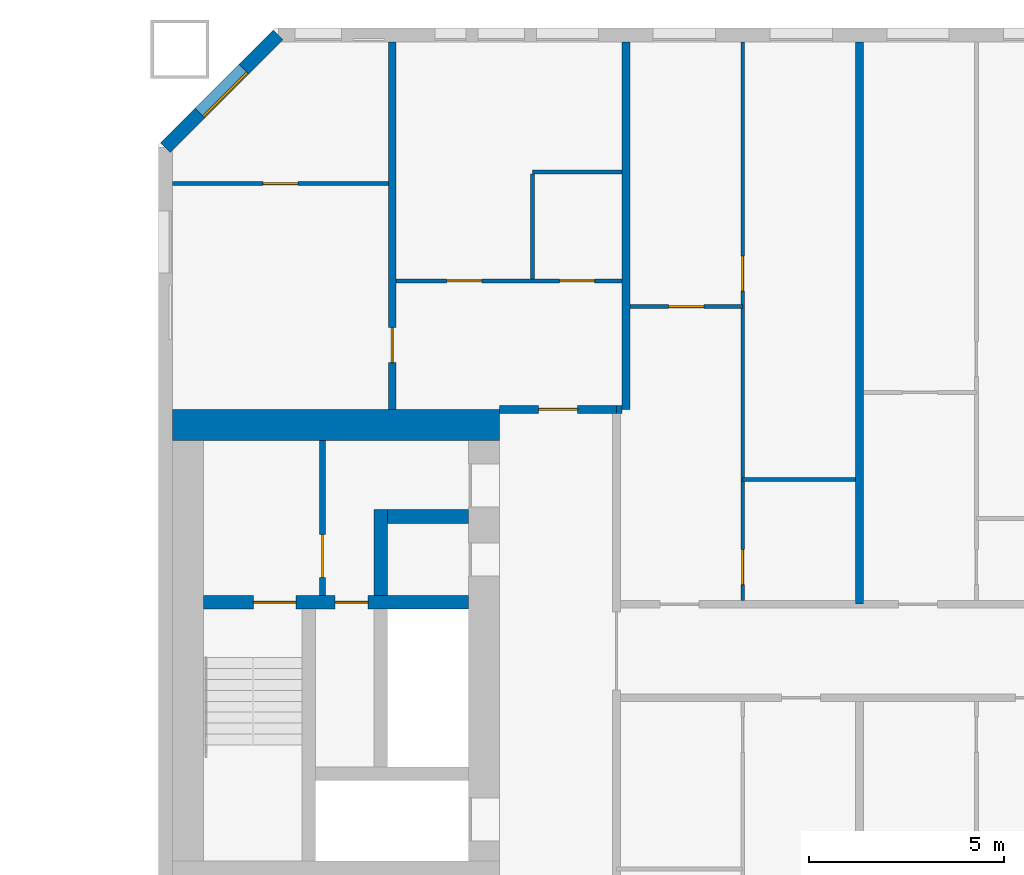
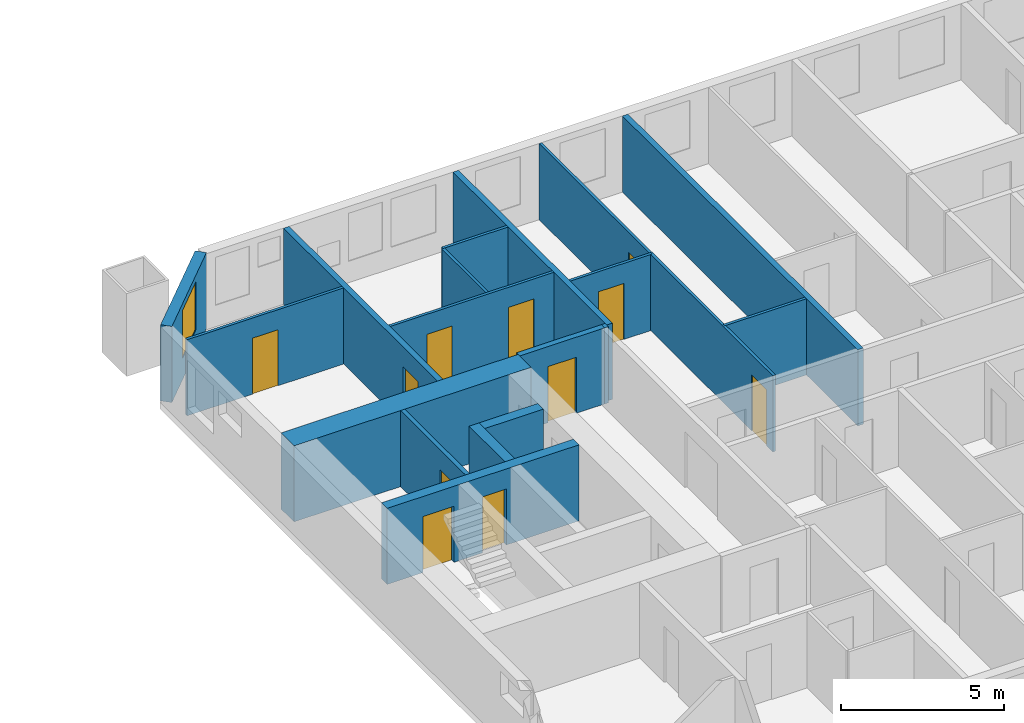
# One storey, part 10 of 17: 18 walls, 11 doors, 1 window, 12 openings.
"""IFC4 building model written with IfcOpenShell, lengths in metres."""

from ifc_helpers import new_model, si_unit, direction, frame, frame_2d, origin, place, context, subcontext, project, spatial, rectangle, extrude, material, layer, layer_set, type_object, element, fill, save


model = new_model("IFC4")

# Units and contexts
model_context = context("Model", 3, precision=1e-05, world=origin(), true_north=direction((0.0, 1.0)))
body_context = subcontext(model_context, "Body", "Model", "MODEL_VIEW")
ifc_project = project(units=[si_unit("LENGTHUNIT", "METRE"), si_unit("AREAUNIT", "SQUARE_METRE"), si_unit("VOLUMEUNIT", "CUBIC_METRE"), si_unit("PLANEANGLEUNIT", "RADIAN"), si_unit("MASSUNIT", "GRAM", prefix="KILO")], contexts=[model_context])

# Site, building, storey
site_placement = place(None, origin())
site = spatial("IfcSite", under=ifc_project, at=site_placement, CompositionType="ELEMENT")
building_placement = place(site_placement, origin())
building = spatial("IfcBuilding", under=site, at=building_placement, Name="Tuart Gate Housing", CompositionType="ELEMENT")
storey_placement = place(building_placement, frame((0.0, 0.0, 47.39990234375)))
storey = spatial("IfcBuildingStorey", under=building, at=storey_placement, Name="L12", CompositionType="ELEMENT", Elevation=47.39990234375)

# Wall, opening, window
ifc_material_1 = material(Name="Brick", Category="masonry")
ifc_layer_1 = layer(ifc_material_1, 0.360107421875)
ifc_layer_set_1 = layer_set([ifc_layer_1], Name="Brick pier and spandrel wall 360")
wall_type_1 = type_object("IfcWallType", Name="Brick pier and spandrel wall 360", PredefinedType="STANDARD", material=ifc_layer_set_1)
wall_1_placement = place(storey_placement, frame((134.07470703125, 85.820068359375, 0.0), z_axis=(0.0, 0.0, 1.0), x_axis=(-0.707106781187, -0.707106781187, 0.0)))
wall_1 = element("IfcWall", 1, at=wall_1_placement, inside=storey, type_object=wall_type_1, Name="External wall B-NW L12", PredefinedType="STANDARD", context=body_context, shape_type="SweptSolid", body=[
    extrude(rectangle(XDim=4.09375, YDim=0.360107421875, at=frame_2d((2.046875, 0.0))), origin(), (0.0, 0.0, 1.0), 2.85009765625),
])
opening_1_placement = place(wall_1_placement, frame((1.2470703125, 0.0, 0.800048828125)))
opening_1 = element("IfcOpeningElement", 2, at=opening_1_placement, cuts=wall_1, Name="Opening W1", PredefinedType="OPENING", context=body_context, shape_type="SweptSolid", body=[
    extrude(rectangle(XDim=1.60009765625, YDim=1.800048828125, at=frame_2d((0.800048828125, 0.89990234375))), frame((0.0, 0.18994140625, 0.0), z_axis=(0.0, -1.0, 0.0), x_axis=(1.0, 0.0, 0.0)), (0.0, 0.0, 1.0), 0.380126953125),
])
ifc_material_2 = material(Name="Aluminium frame with clear glass", Category="aluminium")
window_type = type_object("IfcWindowType", Name="Punched window 1600 x 1800", PartitioningType="SINGLE_PANEL", PredefinedType="WINDOW", material=ifc_material_2)
window_placement = place(opening_1_placement, origin())
window = element("IfcWindow", 3, at=window_placement, inside=storey, type_object=window_type, Name="Window W1", OverallHeight=1.800048828125, OverallWidth=1.60009765625, PartitioningType="SINGLE_PANEL", PredefinedType="WINDOW", context=body_context, shape_type="SweptSolid", body=[
    extrude(rectangle(XDim=1.60009765625, YDim=1.800048828125, at=frame_2d((0.800048828125, 0.89990234375))), frame((0.0, 0.150146484375, 0.0), z_axis=(0.0, -1.0, 0.0), x_axis=(1.0, 0.0, 0.0)), (0.0, 0.0, 1.0), 0.06005859375),
])
fill(opening_1, window)

# Wall, opening, door
ifc_material_3 = material(Name="Plasterboard partition")
ifc_layer_2 = layer(ifc_material_3, 0.14990234375)
ifc_layer_set_2 = layer_set([ifc_layer_2], Name="Core partition 150")
wall_type_2 = type_object("IfcWallType", Name="Core partition 150", PredefinedType="PARTITIONING", material=ifc_layer_set_2)
wall_2_placement = place(storey_placement, frame((135.2099609375, 71.425048828125, 0.0), z_axis=(0.0, 0.0, 1.0), x_axis=(0.0, 1.0, 0.0)))
wall_2 = element("IfcWall", 4, at=wall_2_placement, inside=storey, type_object=wall_type_2, Name="Core partition BG.6", PredefinedType="PARTITIONING", context=body_context, shape_type="SweptSolid", body=[
    extrude(rectangle(XDim=3.974853515625, YDim=0.14990234375, at=frame_2d((1.9873046875, 0.0))), origin(), (0.0, 0.0, 1.0), 2.85009765625),
])
opening_2_placement = place(wall_2_placement, frame((0.46240234375, 0.0, 0.0)))
opening_2 = element("IfcOpeningElement", 5, at=opening_2_placement, cuts=wall_2, Name="Opening D676", PredefinedType="OPENING", context=body_context, shape_type="SweptSolid", body=[
    extrude(rectangle(XDim=1.10009765625, YDim=2.10009765625, at=frame_2d((0.550048828125, 1.050048828125))), frame((0.0, 0.0849609375, 0.0), z_axis=(0.0, -1.0, 0.0), x_axis=(1.0, 0.0, 0.0)), (0.0, 0.0, 1.0), 0.169921875),
])
ifc_material_4 = material(Name="Steel fire door", Category="steel")
door_type_1 = type_object("IfcDoorType", Name="Lobby door 1100 x 2100", OperationType="SINGLE_SWING_LEFT", PredefinedType="DOOR", material=ifc_material_4)
door_1_placement = place(opening_2_placement, origin())
door_1 = element("IfcDoor", 6, at=door_1_placement, inside=storey, type_object=door_type_1, Name="Smoke lobby door BG.KD", OperationType="SINGLE_SWING_LEFT", OverallHeight=2.10009765625, OverallWidth=1.10009765625, PredefinedType="DOOR", context=body_context, shape_type="SweptSolid", body=[
    extrude(rectangle(XDim=1.10009765625, YDim=2.10009765625, at=frame_2d((0.550048828125, 1.050048828125))), frame((0.0, 0.02490234375, 0.0), z_axis=(0.0, -1.0, 0.0), x_axis=(1.0, 0.0, 0.0)), (0.0, 0.0, 1.0), 0.050048828125),
])
fill(opening_2, door_1)

# Wall, openings, doors
ifc_material_5 = material(Name="Concrete C60", Category="concrete")
ifc_layer_3 = layer(ifc_material_5, 0.35009765625)
ifc_layer_set_3 = layer_set([ifc_layer_3], Name="Core wall 350 C60")
wall_type_3 = type_object("IfcWallType", Name="Core wall 350 C60", PredefinedType="SHEAR", material=ifc_layer_set_3)
wall_3_placement = place(storey_placement, frame((138.9599609375, 71.25, 0.0), z_axis=(0.0, 0.0, 1.0), x_axis=(-1.0, 0.0, 0.0)))
wall_3 = element("IfcWall", 7, at=wall_3_placement, inside=storey, type_object=wall_type_3, Name="Core wall BG.2", PredefinedType="SHEAR", context=body_context, shape_type="SweptSolid", body=[
    extrude(rectangle(XDim=6.800048828125, YDim=0.35009765625, at=frame_2d((3.39990234375, 0.0))), origin(), (0.0, 0.0, 1.0), 2.85009765625),
])
opening_3_placement = place(wall_3_placement, frame((4.425048828125, 0.0, 0.0)))
opening_3 = element("IfcOpeningElement", 8, at=opening_3_placement, cuts=wall_3, Name="Opening D678", PredefinedType="OPENING", context=body_context, shape_type="SweptSolid", body=[
    extrude(rectangle(XDim=1.10009765625, YDim=2.10009765625, at=frame_2d((0.550048828125, 1.050048828125))), frame((0.0, 0.18505859375, 0.0), z_axis=(0.0, -1.0, 0.0), x_axis=(1.0, 0.0, 0.0)), (0.0, 0.0, 1.0), 0.3701171875),
])
opening_4_placement = place(wall_3_placement, frame((2.574951171875, 0.0, 0.0)))
opening_4 = element("IfcOpeningElement", 9, at=opening_4_placement, cuts=wall_3, Name="Opening D677", PredefinedType="OPENING", context=body_context, shape_type="SweptSolid", body=[
    extrude(rectangle(XDim=0.85009765625, YDim=2.10009765625, at=frame_2d((0.425048828125, 1.050048828125))), frame((0.0, 0.18505859375, 0.0), z_axis=(0.0, -1.0, 0.0), x_axis=(1.0, 0.0, 0.0)), (0.0, 0.0, 1.0), 0.3701171875),
])
ifc_material_6 = material(Name="Steel fire door", Category="steel")
door_type_2 = type_object("IfcDoorType", Name="Riser door 850 x 2100", OperationType="SINGLE_SWING_LEFT", PredefinedType="DOOR", material=ifc_material_6)
door_2_placement = place(opening_4_placement, origin())
door_2 = element("IfcDoor", 10, at=door_2_placement, inside=storey, type_object=door_type_2, Name="Service room door BG.W1", OperationType="SINGLE_SWING_LEFT", OverallHeight=2.10009765625, OverallWidth=0.85009765625, PredefinedType="DOOR", context=body_context, shape_type="SweptSolid", body=[
    extrude(rectangle(XDim=0.85009765625, YDim=2.10009765625, at=frame_2d((0.425048828125, 1.050048828125))), frame((0.0, 0.02490234375, 0.0), z_axis=(0.0, -1.0, 0.0), x_axis=(1.0, 0.0, 0.0)), (0.0, 0.0, 1.0), 0.050048828125),
])
fill(opening_4, door_2)
ifc_material_7 = material(Name="Steel fire door", Category="steel")
door_type_3 = type_object("IfcDoorType", Name="Stair door 1100 x 2100", OperationType="SINGLE_SWING_LEFT", PredefinedType="DOOR", material=ifc_material_7)
door_3_placement = place(opening_3_placement, origin())
door_3 = element("IfcDoor", 11, at=door_3_placement, inside=storey, type_object=door_type_3, Name="Stair door BG.SD", OperationType="SINGLE_SWING_LEFT", OverallHeight=2.10009765625, OverallWidth=1.10009765625, PredefinedType="DOOR", context=body_context, shape_type="SweptSolid", body=[
    extrude(rectangle(XDim=1.10009765625, YDim=2.10009765625, at=frame_2d((0.550048828125, 1.050048828125))), frame((0.0, 0.02490234375, 0.0), z_axis=(0.0, -1.0, 0.0), x_axis=(1.0, 0.0, 0.0)), (0.0, 0.0, 1.0), 0.050048828125),
])
fill(opening_3, door_3)

# Walls
wall_4_placement = place(storey_placement, frame((138.9599609375, 73.449951171875, 0.0), z_axis=(0.0, 0.0, 1.0), x_axis=(-1.0, 0.0, 0.0)))
element("IfcWall", 12, at=wall_4_placement, inside=storey, type_object=wall_type_3, Name="Core wall BG.3", PredefinedType="SHEAR", context=body_context, shape_type="SweptSolid", body=[
    extrude(rectangle(XDim=2.074951171875, YDim=0.35009765625, at=frame_2d((1.03759765625, 0.0))), origin(), (0.0, 0.0, 1.0), 2.85009765625),
])
wall_5_placement = place(storey_placement, frame((136.7099609375, 71.425048828125, 0.0), z_axis=(0.0, 0.0, 1.0), x_axis=(0.0, 1.0, 0.0)))
element("IfcWall", 13, at=wall_5_placement, inside=storey, type_object=wall_type_3, Name="Core wall BG.5", PredefinedType="SHEAR", context=body_context, shape_type="SweptSolid", body=[
    extrude(rectangle(XDim=2.199951171875, YDim=0.35009765625, at=frame_2d((1.10009765625, 0.0))), origin(), (0.0, 0.0, 1.0), 2.85009765625),
])
ifc_material_8 = material(Name="Concrete C60", Category="concrete")
ifc_layer_4 = layer(ifc_material_8, 0.800048828125)
ifc_layer_set_4 = layer_set([ifc_layer_4], Name="Core wall 800 C60")
wall_type_4 = type_object("IfcWallType", Name="Core wall 800 C60", PredefinedType="SHEAR", material=ifc_layer_set_4)
wall_6_placement = place(storey_placement, frame((139.760009765625, 75.800048828125, 0.0), z_axis=(0.0, 0.0, 1.0), x_axis=(-1.0, 0.0, 0.0)))
element("IfcWall", 14, at=wall_6_placement, inside=storey, type_object=wall_type_4, Name="Core wall BG north", PredefinedType="SHEAR", context=body_context, shape_type="SweptSolid", body=[
    extrude(rectangle(XDim=8.39990234375, YDim=0.800048828125, at=frame_2d((4.199951171875, 0.0))), origin(), (0.0, 0.0, 1.0), 2.85009765625),
])

# Wall, opening, door
ifc_material_9 = material(Name="Concrete masonry 15 MPa", Category="masonry")
ifc_layer_5 = layer(ifc_material_9, 0.199951171875)
ifc_layer_set_5 = layer_set([ifc_layer_5], Name="Enclosure wall masonry 200")
wall_type_5 = type_object("IfcWallType", Name="Enclosure wall masonry 200", PredefinedType="PARTITIONING", material=ifc_layer_set_5)
wall_7_placement = place(storey_placement, frame((139.760009765625, 76.199951171875, 0.0), z_axis=(0.0, 0.0, 1.0), x_axis=(1.0, 0.0, 0.0)))
wall_7 = element("IfcWall", 15, at=wall_7_placement, inside=storey, type_object=wall_type_5, Name="Enclosure wall masonry 200", PredefinedType="PARTITIONING", context=body_context, shape_type="SweptSolid", body=[
    extrude(rectangle(XDim=3.0, YDim=0.199951171875, at=frame_2d((1.5, 0.0))), origin(), (0.0, 0.0, 1.0), 2.85009765625),
])
opening_5_placement = place(wall_7_placement, frame((1.0, 0.0, 0.0)))
opening_5 = element("IfcOpeningElement", 16, at=opening_5_placement, cuts=wall_7, Name="Opening D674", PredefinedType="OPENING", context=body_context, shape_type="SweptSolid", body=[
    extrude(rectangle(XDim=1.0, YDim=2.10009765625, at=frame_2d((0.5, 1.050048828125))), frame((0.0, 0.10986328125, 0.0), z_axis=(0.0, -1.0, 0.0), x_axis=(1.0, 0.0, 0.0)), (0.0, 0.0, 1.0), 0.219970703125),
])
ifc_material_10 = material(Name="Timber door leaf in steel frame", Category="steel")
door_type_4 = type_object("IfcDoorType", Name="Flat entrance door 1000 RH", OperationType="SINGLE_SWING_RIGHT", PredefinedType="DOOR", material=ifc_material_10)
door_4_placement = place(opening_5_placement, origin())
door_4 = element("IfcDoor", 17, at=door_4_placement, inside=storey, type_object=door_type_4, Name="Flat entrance door", OperationType="SINGLE_SWING_RIGHT", OverallHeight=2.10009765625, OverallWidth=1.0, PredefinedType="DOOR", context=body_context, shape_type="SweptSolid", body=[
    extrude(rectangle(XDim=1.0, YDim=2.10009765625, at=frame_2d((0.5, 1.050048828125))), frame((0.0, 0.02490234375, 0.0), z_axis=(0.0, -1.0, 0.0), x_axis=(1.0, 0.0, 0.0)), (0.0, 0.0, 1.0), 0.050048828125),
])
fill(opening_5, door_4)

# Wall
ifc_material_11 = material(Name="Gypsum board on steel studs", Category="steel")
ifc_layer_6 = layer(ifc_material_11, 0.10009765625)
ifc_layer_set_6 = layer_set([ifc_layer_6], Name="Partition 100")
wall_type_6 = type_object("IfcWallType", Name="Partition 100", PredefinedType="PARTITIONING", material=ifc_layer_set_6)
wall_8_placement = place(storey_placement, frame((146.0, 74.39990234375, 0.0), z_axis=(0.0, 0.0, 1.0), x_axis=(1.0, 0.0, 0.0)))
element("IfcWall", 18, at=wall_8_placement, inside=storey, type_object=wall_type_6, Name="Partition 100", PredefinedType="PARTITIONING", context=body_context, shape_type="SweptSolid", body=[
    extrude(rectangle(XDim=2.89990234375, YDim=0.10009765625, at=frame_2d((1.449951171875, 0.0))), origin(), (0.0, 0.0, 1.0), 2.85009765625),
])

# Wall, opening, door
wall_9_placement = place(storey_placement, frame((143.10009765625, 78.840087890625, 0.0), z_axis=(0.0, 0.0, 1.0), x_axis=(1.0, 0.0, 0.0)))
wall_9 = element("IfcWall", 19, at=wall_9_placement, inside=storey, type_object=wall_type_6, Name="Partition 100", PredefinedType="PARTITIONING", context=body_context, shape_type="SweptSolid", body=[
    extrude(rectangle(XDim=2.89990234375, YDim=0.10009765625, at=frame_2d((1.449951171875, 0.0))), origin(), (0.0, 0.0, 1.0), 2.85009765625),
])
opening_6_placement = place(wall_9_placement, frame((1.0, 0.0, 0.0)))
opening_6 = element("IfcOpeningElement", 20, at=opening_6_placement, cuts=wall_9, Name="Opening D666", PredefinedType="OPENING", context=body_context, shape_type="SweptSolid", body=[
    extrude(rectangle(XDim=0.89990234375, YDim=2.10009765625, at=frame_2d((0.449951171875, 1.050048828125))), frame((0.0, 0.06005859375, 0.0), z_axis=(0.0, -1.0, 0.0), x_axis=(1.0, 0.0, 0.0)), (0.0, 0.0, 1.0), 0.1201171875),
])
ifc_material_12 = material(Name="Timber door leaf in steel frame", Category="steel")
door_type_5 = type_object("IfcDoorType", Name="Internal door 900", OperationType="SINGLE_SWING_LEFT", PredefinedType="DOOR", material=ifc_material_12)
door_5_placement = place(opening_6_placement, frame((0.89990234375, 0.0, 0.0), z_axis=(0.0, 0.0, 1.0), x_axis=(-1.0, 0.0, 0.0)))
door_5 = element("IfcDoor", 21, at=door_5_placement, inside=storey, type_object=door_type_5, Name="Internal door", OperationType="SINGLE_SWING_LEFT", OverallHeight=2.10009765625, OverallWidth=0.89990234375, PredefinedType="DOOR", context=body_context, shape_type="SweptSolid", body=[
    extrude(rectangle(XDim=0.89990234375, YDim=2.10009765625, at=frame_2d((0.449951171875, 1.050048828125))), frame((0.0, 0.025146484375, 0.0), z_axis=(0.0, -1.0, 0.0), x_axis=(1.0, 0.0, 0.0)), (0.0, 0.0, 1.0), 0.050048828125),
])
fill(opening_6, door_5)

# Wall, openings, doors
wall_10_placement = place(storey_placement, frame((137.10009765625, 79.5, 0.0), z_axis=(0.0, 0.0, 1.0), x_axis=(1.0, 0.0, 0.0)))
wall_10 = element("IfcWall", 22, at=wall_10_placement, inside=storey, type_object=wall_type_6, Name="Partition 100", PredefinedType="PARTITIONING", context=body_context, shape_type="SweptSolid", body=[
    extrude(rectangle(XDim=5.7998046875, YDim=0.10009765625, at=frame_2d((2.89990234375, 0.0))), origin(), (0.0, 0.0, 1.0), 2.85009765625),
])
opening_7_placement = place(wall_10_placement, frame((1.300048828125, 0.0, 0.0)))
opening_7 = element("IfcOpeningElement", 23, at=opening_7_placement, cuts=wall_10, Name="Opening D665", PredefinedType="OPENING", context=body_context, shape_type="SweptSolid", body=[
    extrude(rectangle(XDim=0.89990234375, YDim=2.10009765625, at=frame_2d((0.449951171875, 1.050048828125))), frame((0.0, 0.06005859375, 0.0), z_axis=(0.0, -1.0, 0.0), x_axis=(1.0, 0.0, 0.0)), (0.0, 0.0, 1.0), 0.1201171875),
])
opening_8_placement = place(wall_10_placement, frame((4.199951171875, 0.0, 0.0)))
opening_8 = element("IfcOpeningElement", 24, at=opening_8_placement, cuts=wall_10, Name="Opening D664", PredefinedType="OPENING", context=body_context, shape_type="SweptSolid", body=[
    extrude(rectangle(XDim=0.89990234375, YDim=2.10009765625, at=frame_2d((0.449951171875, 1.050048828125))), frame((0.0, 0.06005859375, 0.0), z_axis=(0.0, -1.0, 0.0), x_axis=(1.0, 0.0, 0.0)), (0.0, 0.0, 1.0), 0.1201171875),
])
ifc_material_13 = material(Name="Timber door leaf in steel frame", Category="steel")
door_type_6 = type_object("IfcDoorType", Name="Bathroom door 900", OperationType="SINGLE_SWING_LEFT", PredefinedType="DOOR", material=ifc_material_13)
door_6_placement = place(opening_8_placement, origin())
door_6 = element("IfcDoor", 25, at=door_6_placement, inside=storey, type_object=door_type_6, Name="Bathroom door", OperationType="SINGLE_SWING_LEFT", OverallHeight=2.10009765625, OverallWidth=0.89990234375, PredefinedType="DOOR", context=body_context, shape_type="SweptSolid", body=[
    extrude(rectangle(XDim=0.89990234375, YDim=2.10009765625, at=frame_2d((0.449951171875, 1.050048828125))), frame((0.0, 0.02490234375, 0.0), z_axis=(0.0, -1.0, 0.0), x_axis=(1.0, 0.0, 0.0)), (0.0, 0.0, 1.0), 0.050048828125),
])
fill(opening_8, door_6)
ifc_material_14 = material(Name="Timber door leaf in steel frame", Category="steel")
door_type_7 = type_object("IfcDoorType", Name="Internal door 900 RH", OperationType="SINGLE_SWING_RIGHT", PredefinedType="DOOR", material=ifc_material_14)
door_7_placement = place(opening_7_placement, origin())
door_7 = element("IfcDoor", 26, at=door_7_placement, inside=storey, type_object=door_type_7, Name="Internal door", OperationType="SINGLE_SWING_RIGHT", OverallHeight=2.10009765625, OverallWidth=0.89990234375, PredefinedType="DOOR", context=body_context, shape_type="SweptSolid", body=[
    extrude(rectangle(XDim=0.89990234375, YDim=2.10009765625, at=frame_2d((0.449951171875, 1.050048828125))), frame((0.0, 0.02490234375, 0.0), z_axis=(0.0, -1.0, 0.0), x_axis=(1.0, 0.0, 0.0)), (0.0, 0.0, 1.0), 0.050048828125),
])
fill(opening_7, door_7)

# Wall, opening, door
wall_11_placement = place(storey_placement, frame((131.360107421875, 82.0, 0.0), z_axis=(0.0, 0.0, 1.0), x_axis=(1.0, 0.0, 0.0)))
wall_11 = element("IfcWall", 27, at=wall_11_placement, inside=storey, type_object=wall_type_6, Name="Partition 100", PredefinedType="PARTITIONING", context=body_context, shape_type="SweptSolid", body=[
    extrude(rectangle(XDim=5.539794921875, YDim=0.10009765625, at=frame_2d((2.77001953125, 0.0))), origin(), (0.0, 0.0, 1.0), 2.85009765625),
])
opening_9_placement = place(wall_11_placement, frame((2.320068359375, 0.0, 0.0)))
opening_9 = element("IfcOpeningElement", 28, at=opening_9_placement, cuts=wall_11, Name="Opening D662", PredefinedType="OPENING", context=body_context, shape_type="SweptSolid", body=[
    extrude(rectangle(XDim=0.89990234375, YDim=2.10009765625, at=frame_2d((0.449951171875, 1.050048828125))), frame((0.0, 0.06005859375, 0.0), z_axis=(0.0, -1.0, 0.0), x_axis=(1.0, 0.0, 0.0)), (0.0, 0.0, 1.0), 0.1201171875),
])
door_8_placement = place(opening_9_placement, origin())
door_8 = element("IfcDoor", 29, at=door_8_placement, inside=storey, type_object=door_type_5, Name="Internal door", OperationType="SINGLE_SWING_LEFT", OverallHeight=2.10009765625, OverallWidth=0.89990234375, PredefinedType="DOOR", context=body_context, shape_type="SweptSolid", body=[
    extrude(rectangle(XDim=0.89990234375, YDim=2.10009765625, at=frame_2d((0.449951171875, 1.050048828125))), frame((0.0, 0.02490234375, 0.0), z_axis=(0.0, -1.0, 0.0), x_axis=(1.0, 0.0, 0.0)), (0.0, 0.0, 1.0), 0.050048828125),
])
fill(opening_9, door_8)

# Walls
wall_12_placement = place(storey_placement, frame((140.60009765625, 82.300048828125, 0.0), z_axis=(0.0, 0.0, 1.0), x_axis=(1.0, 0.0, 0.0)))
element("IfcWall", 30, at=wall_12_placement, inside=storey, type_object=wall_type_6, Name="Partition 100", PredefinedType="PARTITIONING", context=body_context, shape_type="SweptSolid", body=[
    extrude(rectangle(XDim=2.2998046875, YDim=0.10009765625, at=frame_2d((1.14990234375, 0.0))), origin(), (0.0, 0.0, 1.0), 2.85009765625),
])
wall_13_placement = place(storey_placement, frame((140.60009765625, 79.550048828125, 0.0), z_axis=(0.0, 0.0, 1.0), x_axis=(0.0, 1.0, 0.0)))
element("IfcWall", 31, at=wall_13_placement, inside=storey, type_object=wall_type_6, Name="Partition 100", PredefinedType="PARTITIONING", context=body_context, shape_type="SweptSolid", body=[
    extrude(rectangle(XDim=2.699951171875, YDim=0.10009765625, at=frame_2d((1.35009765625, 0.0))), origin(), (0.0, 0.0, 1.0), 2.85009765625),
])

# Wall, openings, doors
wall_14_placement = place(storey_placement, frame((146.0, 71.300048828125, 0.0), z_axis=(0.0, 0.0, 1.0), x_axis=(0.0, 1.0, 0.0)))
wall_14 = element("IfcWall", 32, at=wall_14_placement, inside=storey, type_object=wall_type_6, Name="Partition 100", PredefinedType="PARTITIONING", context=body_context, shape_type="SweptSolid", body=[
    extrude(rectangle(XDim=14.33984375, YDim=0.10009765625, at=frame_2d((7.169921875, 0.0))), origin(), (0.0, 0.0, 1.0), 2.85009765625),
])
opening_10_placement = place(wall_14_placement, frame((7.93994140625, 0.0, 0.0)))
opening_10 = element("IfcOpeningElement", 33, at=opening_10_placement, cuts=wall_14, Name="Opening D670", PredefinedType="OPENING", context=body_context, shape_type="SweptSolid", body=[
    extrude(rectangle(XDim=0.89990234375, YDim=2.10009765625, at=frame_2d((0.449951171875, 1.050048828125))), frame((0.0, 0.06005859375, 0.0), z_axis=(0.0, -1.0, 0.0), x_axis=(1.0, 0.0, 0.0)), (0.0, 0.0, 1.0), 0.1201171875),
])
opening_11_placement = place(wall_14_placement, frame((0.39990234375, 0.0, 0.0)))
opening_11 = element("IfcOpeningElement", 34, at=opening_11_placement, cuts=wall_14, Name="Opening D669", PredefinedType="OPENING", context=body_context, shape_type="SweptSolid", body=[
    extrude(rectangle(XDim=0.89990234375, YDim=2.10009765625, at=frame_2d((0.449951171875, 1.050048828125))), frame((0.0, 0.06005859375, 0.0), z_axis=(0.0, -1.0, 0.0), x_axis=(1.0, 0.0, 0.0)), (0.0, 0.0, 1.0), 0.1201171875),
])
ifc_material_15 = material(Name="Timber door leaf in steel frame", Category="steel")
door_type_8 = type_object("IfcDoorType", Name="Bathroom door 900 RH", OperationType="SINGLE_SWING_RIGHT", PredefinedType="DOOR", material=ifc_material_15)
door_9_placement = place(opening_11_placement, frame((0.89990234375, 0.0, 0.0), z_axis=(0.0, 0.0, 1.0), x_axis=(-1.0, 0.0, 0.0)))
door_9 = element("IfcDoor", 35, at=door_9_placement, inside=storey, type_object=door_type_8, Name="Bathroom door", OperationType="SINGLE_SWING_RIGHT", OverallHeight=2.10009765625, OverallWidth=0.89990234375, PredefinedType="DOOR", context=body_context, shape_type="SweptSolid", body=[
    extrude(rectangle(XDim=0.89990234375, YDim=2.10009765625, at=frame_2d((0.449951171875, 1.050048828125))), frame((0.0, 0.025146484375, 0.0), z_axis=(0.0, -1.0, 0.0), x_axis=(1.0, 0.0, 0.0)), (0.0, 0.0, 1.0), 0.050048828125),
])
fill(opening_11, door_9)
door_10_placement = place(opening_10_placement, frame((0.89990234375, 0.0, 0.0), z_axis=(0.0, 0.0, 1.0), x_axis=(-1.0, 0.0, 0.0)))
door_10 = element("IfcDoor", 36, at=door_10_placement, inside=storey, type_object=door_type_7, Name="Internal door", OperationType="SINGLE_SWING_RIGHT", OverallHeight=2.10009765625, OverallWidth=0.89990234375, PredefinedType="DOOR", context=body_context, shape_type="SweptSolid", body=[
    extrude(rectangle(XDim=0.89990234375, YDim=2.10009765625, at=frame_2d((0.449951171875, 1.050048828125))), frame((0.0, 0.025146484375, 0.0), z_axis=(0.0, -1.0, 0.0), x_axis=(1.0, 0.0, 0.0)), (0.0, 0.0, 1.0), 0.050048828125),
])
fill(opening_10, door_10)

# Wall, opening, door
ifc_material_16 = material(Name="Concrete C40", Category="concrete")
ifc_layer_7 = layer(ifc_material_16, 0.199951171875)
ifc_layer_set_7 = layer_set([ifc_layer_7], Name="Party wall concrete C40 200")
wall_type_7 = type_object("IfcWallType", Name="Party wall concrete C40 200", PredefinedType="SOLIDWALL", material=ifc_layer_set_7)
wall_15_placement = place(storey_placement, frame((137.0, 76.199951171875, 0.0), z_axis=(0.0, 0.0, 1.0), x_axis=(0.0, 1.0, 0.0)))
wall_15 = element("IfcWall", 37, at=wall_15_placement, inside=storey, type_object=wall_type_7, Name="Party wall concrete C40 200", PredefinedType="SOLIDWALL", context=body_context, shape_type="SweptSolid", body=[
    extrude(rectangle(XDim=9.43994140625, YDim=0.199951171875, at=frame_2d((4.719970703125, 0.0))), origin(), (0.0, 0.0, 1.0), 2.85009765625),
])
opening_12_placement = place(wall_15_placement, frame((1.199951171875, 0.0, 0.0)))
opening_12 = element("IfcOpeningElement", 38, at=opening_12_placement, cuts=wall_15, Name="Opening D663", PredefinedType="OPENING", context=body_context, shape_type="SweptSolid", body=[
    extrude(rectangle(XDim=0.89990234375, YDim=2.10009765625, at=frame_2d((0.449951171875, 1.050048828125))), frame((0.0, 0.10986328125, 0.0), z_axis=(0.0, -1.0, 0.0), x_axis=(1.0, 0.0, 0.0)), (0.0, 0.0, 1.0), 0.219970703125),
])
door_11_placement = place(opening_12_placement, frame((0.89990234375, 0.0, 0.0), z_axis=(0.0, 0.0, 1.0), x_axis=(-1.0, 0.0, 0.0)))
door_11 = element("IfcDoor", 39, at=door_11_placement, inside=storey, type_object=door_type_7, Name="Internal door", OperationType="SINGLE_SWING_RIGHT", OverallHeight=2.10009765625, OverallWidth=0.89990234375, PredefinedType="DOOR", context=body_context, shape_type="SweptSolid", body=[
    extrude(rectangle(XDim=0.89990234375, YDim=2.10009765625, at=frame_2d((0.449951171875, 1.050048828125))), frame((0.0, 0.025146484375, 0.0), z_axis=(0.0, -1.0, 0.0), x_axis=(1.0, 0.0, 0.0)), (0.0, 0.0, 1.0), 0.050048828125),
])
fill(opening_12, door_11)

# Walls
wall_16_placement = place(storey_placement, frame((143.0, 76.199951171875, 0.0), z_axis=(0.0, 0.0, 1.0), x_axis=(0.0, 1.0, 0.0)))
element("IfcWall", 40, at=wall_16_placement, inside=storey, type_object=wall_type_7, Name="Party wall concrete C40 200", PredefinedType="SOLIDWALL", context=body_context, shape_type="SweptSolid", body=[
    extrude(rectangle(XDim=9.43994140625, YDim=0.199951171875, at=frame_2d((4.719970703125, 0.0))), origin(), (0.0, 0.0, 1.0), 2.85009765625),
])
wall_17_placement = place(storey_placement, frame((149.0, 71.199951171875, 0.0), z_axis=(0.0, 0.0, 1.0), x_axis=(0.0, 1.0, 0.0)))
element("IfcWall", 41, at=wall_17_placement, inside=storey, type_object=wall_type_7, Name="Party wall concrete C40 200", PredefinedType="SOLIDWALL", context=body_context, shape_type="SweptSolid", body=[
    extrude(rectangle(XDim=14.43994140625, YDim=0.199951171875, at=frame_2d((7.219970703125, 0.0))), origin(), (0.0, 0.0, 1.0), 2.85009765625),
])
ifc_material_17 = material(Name="Concrete masonry 15 MPa", Category="masonry")
ifc_layer_8 = layer(ifc_material_17, 0.199951171875)
ifc_layer_set_8 = layer_set([ifc_layer_8], Name="Party wall masonry 200")
wall_type_8 = type_object("IfcWallType", Name="Party wall masonry 200", PredefinedType="PARTITIONING", material=ifc_layer_set_8)
wall_18_placement = place(storey_placement, frame((142.760009765625, 76.199951171875, 0.0), z_axis=(0.0, 0.0, 1.0), x_axis=(1.0, 0.0, 0.0)))
element("IfcWall", 42, at=wall_18_placement, inside=storey, type_object=wall_type_8, Name="Party wall masonry 200", PredefinedType="PARTITIONING", context=body_context, shape_type="SweptSolid", body=[
    extrude(rectangle(XDim=0.139892578125, YDim=0.199951171875, at=frame_2d((0.06982421875, 0.0))), origin(), (0.0, 0.0, 1.0), 2.85009765625),
])

save(model, "model.ifc")
